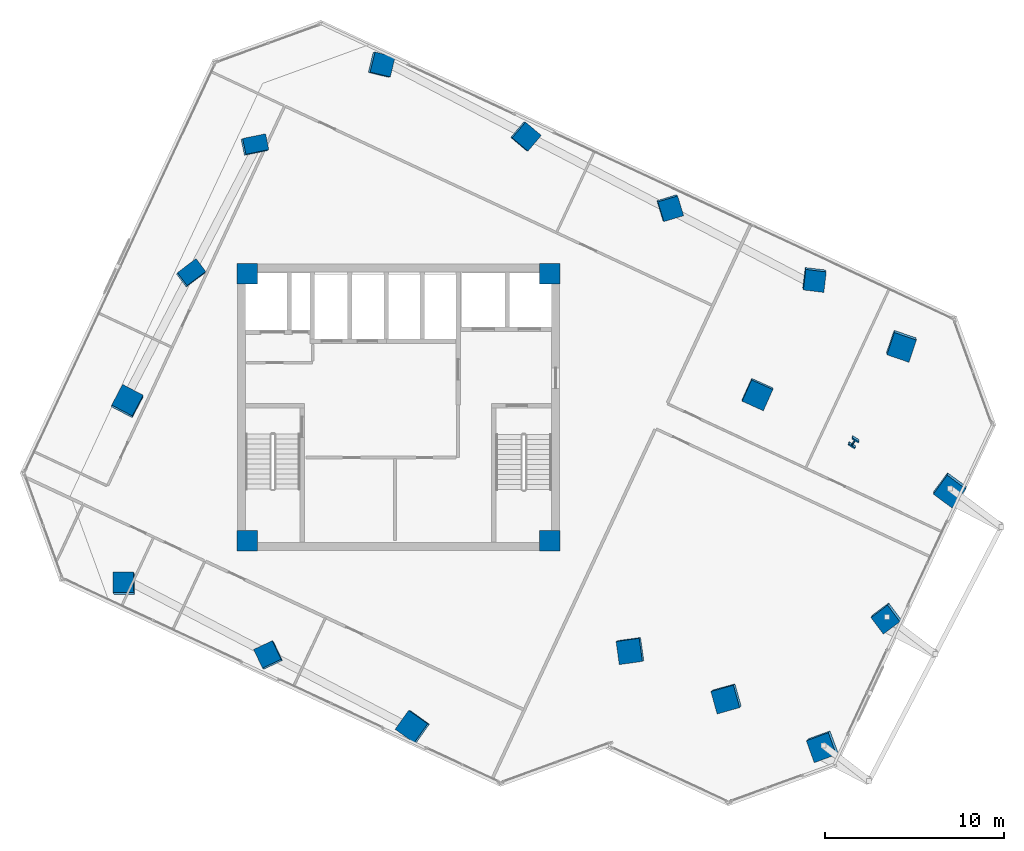
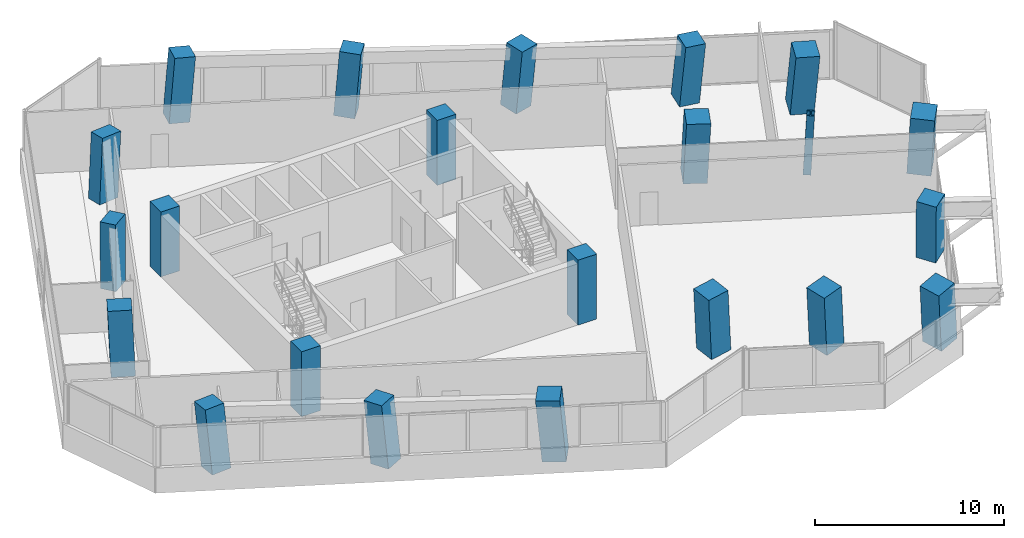
# One storey, part 1 of 21: 22 columns.
"""IFC4 building model written with IfcOpenShell, lengths in metres."""

from ifc_helpers import new_model, si_unit, direction, frame, origin, origin_2d, place, context, subcontext, project, spatial, rectangle, i_section, extrude, clip, halfspace, source, transform, mapped, material, material_profile, profile_set, type_object, element, save


model = new_model("IFC4")

# Units and contexts
model_context = context("Model", 3, precision=1e-05, world=origin(), true_north=direction((0.0, 1.0)))
body_context = subcontext(model_context, "Body", "Model", "MODEL_VIEW")
ifc_project = project(units=[si_unit("LENGTHUNIT", "METRE"), si_unit("AREAUNIT", "SQUARE_METRE"), si_unit("VOLUMEUNIT", "CUBIC_METRE"), si_unit("PLANEANGLEUNIT", "RADIAN"), si_unit("MASSUNIT", "GRAM", prefix="KILO")], contexts=[model_context])

# Site, building, storey
site_placement = place(None, origin())
site = spatial("IfcSite", under=ifc_project, at=site_placement, CompositionType="ELEMENT")
building_placement = place(site_placement, origin())
building = spatial("IfcBuilding", under=site, at=building_placement, Name="Torre Montelarca", CompositionType="ELEMENT")
storey_placement = place(building_placement, frame((0.0, 0.0, 162.39990234375)))
storey = spatial("IfcBuildingStorey", under=building, at=storey_placement, Name="L36", CompositionType="ELEMENT", Elevation=162.39990234375)

# Columns
ifc_material_1 = material(Name="Concrete C55/67", Category="concrete")
ifc_material_profile_1 = material_profile(ifc_material_1, rectangle(XDim=0.89990234375, YDim=1.300048828125, at=origin_2d()), Name="RC1300X900", Category="concrete")
ifc_profile_set_1 = profile_set([ifc_material_profile_1], Name="Concrete C55/67")
column_type_1 = type_object("IfcColumnType", Name="COL-PIL1300-EXT", PredefinedType="PILASTER", material=ifc_profile_set_1)
column_1_placement = place(storey_placement, frame((6.3876953125, 39.45263671875, 0.0), z_axis=(0.039433062508, 0.077765936782, 0.99619149397), x_axis=(0.600646384242, -0.79858419972, 0.038564193941)))
element("IfcColumn", 1, at=column_1_placement, inside=storey, type_object=column_type_1, Name="L36 Column 1W/E", PredefinedType="PILASTER", context=body_context, shape_type="Clipping", body=[
    clip(clip(extrude(rectangle(XDim=0.89990234375, YDim=1.300048828125, at=origin_2d()), origin(), (0.0, 0.0, 1.0), 4.21630859375), halfspace(frame((0.0, 0.0, 0.069091796875), z_axis=(0.0, 0.0, -1.0), x_axis=(1.0, 0.0, 0.0)), False)), halfspace(frame((0.0, 0.0, 4.147216796875), z_axis=(0.0, 0.0, 1.0), x_axis=(1.0, 0.0, 0.0)), False)),
])
column_2_placement = place(storey_placement, frame((9.926025390625, 46.62744140625, 0.0), z_axis=(0.076252876943, 0.059069944885, 0.995337249564), x_axis=(0.201228472882, -0.978614892024, 0.042661397204)))
element("IfcColumn", 2, at=column_2_placement, inside=storey, type_object=column_type_1, Name="L36 Column 1W/F", PredefinedType="PILASTER", context=body_context, shape_type="Clipping", body=[
    clip(clip(extrude(rectangle(XDim=0.89990234375, YDim=1.300048828125, at=origin_2d()), origin(), (0.0, 0.0, 1.0), 4.219970703125), halfspace(frame((0.0, 0.0, 0.076416015625), z_axis=(0.0, 0.0, -1.0), x_axis=(1.0, 0.0, 0.0)), False)), halfspace(frame((0.0, 0.0, 4.1435546875), z_axis=(0.0, 0.0, 1.0), x_axis=(1.0, 0.0, 0.0)), False)),
])
ifc_material_profile_2 = material_profile(ifc_material_1, rectangle(XDim=1.14990234375, YDim=1.14990234375, at=origin_2d()), Name="RC1150X1150", Category="concrete")
ifc_profile_set_2 = profile_set([ifc_material_profile_2], Name="Concrete C55/67")
column_type_2 = type_object("IfcColumnType", Name="COL-RC1150-EXT", PredefinedType="COLUMN", material=ifc_profile_set_2)
column_3_placement = place(storey_placement, frame((2.681640625, 22.102294921875, 0.0), z_axis=(-0.050032697629, 0.097754416153, 0.993952113178), x_axis=(0.998670124728, 0.017290764347, 0.048569655588)))
element("IfcColumn", 3, at=column_3_placement, inside=storey, type_object=column_type_2, Name="L36 Column 2/CS", PredefinedType="COLUMN", context=body_context, shape_type="Clipping", body=[
    clip(clip(extrude(rectangle(XDim=1.14990234375, YDim=1.14990234375, at=origin_2d()), origin(), (0.0, 0.0, 1.0), 4.225830078125), halfspace(frame((0.0, 0.0, 0.085693359375), z_axis=(0.0, 0.0, -1.0), x_axis=(1.0, 0.0, 0.0)), False)), halfspace(frame((0.0, 0.0, 4.14013671875), z_axis=(0.0, 0.0, 1.0), x_axis=(1.0, 0.0, 0.0)), False)),
])
column_4_placement = place(storey_placement, frame((16.98974609375, 51.1162109375, 0.0), z_axis=(0.099055374896, 0.022262883441, 0.994832848636), x_axis=(-0.232626468204, -0.971528980681, 0.044903964055)))
element("IfcColumn", 4, at=column_4_placement, inside=storey, type_object=column_type_2, Name="L36 Column 2/GN", PredefinedType="COLUMN", context=body_context, shape_type="Clipping", body=[
    clip(clip(extrude(rectangle(XDim=1.14990234375, YDim=1.14990234375, at=origin_2d()), origin(), (0.0, 0.0, 1.0), 4.221923828125), halfspace(frame((0.0, 0.0, 0.079345703125), z_axis=(0.0, 0.0, -1.0), x_axis=(1.0, 0.0, 0.0)), False)), halfspace(frame((0.0, 0.0, 4.142578125), z_axis=(0.0, 0.0, 1.0), x_axis=(1.0, 0.0, 0.0)), False)),
])
column_5_placement = place(storey_placement, frame((10.753662109375, 18.121826171875, 0.0), z_axis=(-0.071199539327, 0.056380773418, 0.995867377711), x_axis=(0.90208675184, 0.429681267702, 0.040168399792)))
element("IfcColumn", 5, at=column_5_placement, inside=storey, type_object=column_type_2, Name="L36 Column 3/CS", PredefinedType="COLUMN", context=body_context, shape_type="Clipping", body=[
    clip(clip(extrude(rectangle(XDim=1.14990234375, YDim=1.14990234375, at=origin_2d()), origin(), (0.0, 0.0, 1.0), 4.217529296875), halfspace(frame((0.0, 0.0, 0.071044921875), z_axis=(0.0, 0.0, -1.0), x_axis=(1.0, 0.0, 0.0)), False)), halfspace(frame((0.0, 0.0, 4.146484375), z_axis=(0.0, 0.0, 1.0), x_axis=(1.0, 0.0, 0.0)), False)),
])
column_6_placement = place(storey_placement, frame((25.0615234375, 47.135498046875, 0.0), z_axis=(0.078215080244, -0.019293053127, 0.996749807787), x_axis=(-0.642812730681, -0.765194262388, 0.0356305218)))
element("IfcColumn", 6, at=column_6_placement, inside=storey, type_object=column_type_2, Name="L36 Column 3/GN", PredefinedType="COLUMN", context=body_context, shape_type="Clipping", body=[
    clip(clip(extrude(rectangle(XDim=1.14990234375, YDim=1.14990234375, at=origin_2d()), origin(), (0.0, 0.0, 1.0), 4.2138671875), halfspace(frame((0.0, 0.0, 0.06298828125), z_axis=(0.0, 0.0, -1.0), x_axis=(1.0, 0.0, 0.0)), False)), halfspace(frame((0.0, 0.0, 4.15087890625), z_axis=(0.0, 0.0, 1.0), x_axis=(1.0, 0.0, 0.0)), False)),
])
column_7_placement = place(storey_placement, frame((33.133544921875, 43.155029296875, 0.0), z_axis=(0.057054699059, -0.060819729961, 0.996516794521), x_axis=(-0.955655307029, -0.292168689641, 0.036883477871)))
element("IfcColumn", 7, at=column_7_placement, inside=storey, type_object=column_type_2, Name="L36 Column 4/GN", PredefinedType="COLUMN", context=body_context, shape_type="Clipping", body=[
    clip(clip(extrude(rectangle(XDim=1.14990234375, YDim=1.14990234375, at=origin_2d()), origin(), (0.0, 0.0, 1.0), 4.21484375), halfspace(frame((0.0, 0.0, 0.065185546875), z_axis=(0.0, 0.0, -1.0), x_axis=(1.0, 0.0, 0.0)), False)), halfspace(frame((0.0, 0.0, 4.149658203125), z_axis=(0.0, 0.0, 1.0), x_axis=(1.0, 0.0, 0.0)), False)),
])
column_8_placement = place(storey_placement, frame((41.205322265625, 39.17431640625, 0.0), z_axis=(0.035941942904, -0.102105165773, 0.994124092789), x_axis=(-0.9919833284, 0.116948487131, 0.047876168741)))
element("IfcColumn", 8, at=column_8_placement, inside=storey, type_object=column_type_2, Name="L36 Column 5/GN", PredefinedType="COLUMN", context=body_context, shape_type="Clipping", body=[
    clip(clip(extrude(rectangle(XDim=1.14990234375, YDim=1.14990234375, at=origin_2d()), origin(), (0.0, 0.0, 1.0), 4.22509765625), halfspace(frame((0.0, 0.0, 0.084716796875), z_axis=(0.0, 0.0, -1.0), x_axis=(1.0, 0.0, 0.0)), False)), halfspace(frame((0.0, 0.0, 4.140380859375), z_axis=(0.0, 0.0, 1.0), x_axis=(1.0, 0.0, 0.0)), False)),
])
column_9_placement = place(storey_placement, frame((45.26708984375, 20.279296875, 0.0), z_axis=(-0.061614127929, -0.121615923537, 0.990663043815), x_axis=(-0.602034101789, 0.796190314393, 0.060298619803)))
element("IfcColumn", 9, at=column_9_placement, inside=storey, type_object=column_type_2, Name="L36 Column 7/E", PredefinedType="COLUMN", context=body_context, shape_type="Clipping", body=[
    clip(clip(extrude(rectangle(XDim=1.14990234375, YDim=1.14990234375, at=origin_2d()), origin(), (0.0, 0.0, 1.0), 4.23974609375), halfspace(frame((0.0, 0.0, 0.106689453125), z_axis=(0.0, 0.0, -1.0), x_axis=(1.0, 0.0, 0.0)), False)), halfspace(frame((0.0, 0.0, 4.133056640625), z_axis=(0.0, 0.0, 1.0), x_axis=(1.0, 0.0, 0.0)), False)),
])
ifc_material_2 = material(Name="Concrete C70/85", Category="concrete")
ifc_material_profile_3 = material_profile(ifc_material_2, rectangle(XDim=1.300048828125, YDim=1.300048828125, at=origin_2d()), Name="RC1300X1300", Category="concrete")
ifc_profile_set_3 = profile_set([ifc_material_profile_3], Name="Concrete C70/85")
column_type_3 = type_object("IfcColumnType", Name="COL-RC1300", PredefinedType="COLUMN", material=ifc_profile_set_3)
for number, where, z_axis, x_axis, name in (
    (10, (30.96630859375, 18.411865234375, 0.0), (-0.070826617057, -0.048240860187, 0.996321438957), (-0.140677633918, 0.989329700066, 0.037901818988), "L36 Column 5/D"),
    (11, (38.04296875, 32.76171875, 0.0), (0.003011431588, -0.085652063822, 0.996320558476), (-0.911802517527, 0.408875626491, 0.037906346343), "L36 Column 5/F"),
):
    element("IfcColumn", number, at=place(storey_placement, frame(where, z_axis=z_axis, x_axis=x_axis)), inside=storey, type_object=column_type_3, Name=name, PredefinedType="COLUMN", context=body_context, shape_type="Clipping", body=[
        clip(clip(extrude(rectangle(XDim=1.300048828125, YDim=1.300048828125, at=origin_2d()), origin(), (0.0, 0.0, 1.0), 4.2158203125), halfspace(frame((0.0, 0.0, 0.07568359375), z_axis=(0.0, 0.0, -1.0), x_axis=(1.0, 0.0, 0.0)), False)), halfspace(frame((0.0, 0.0, 4.14013671875), z_axis=(0.0, 0.0, 1.0), x_axis=(1.0, 0.0, 0.0)), False)),
    ])
column_10_placement = place(storey_placement, frame((36.34765625, 15.758056640625, 0.0), z_axis=(-0.084661353557, -0.075710119041, 0.993529281445), x_axis=(-0.270301885769, 0.961464240878, 0.050233495423)))
element("IfcColumn", 12, at=column_10_placement, inside=storey, type_object=column_type_3, Name="L36 Column 6/D", PredefinedType="COLUMN", context=body_context, shape_type="Clipping", body=[
    clip(clip(extrude(rectangle(XDim=1.300048828125, YDim=1.300048828125, at=origin_2d()), origin(), (0.0, 0.0, 1.0), 4.2275390625), halfspace(frame((0.0, 0.0, 0.100341796875), z_axis=(0.0, 0.0, -1.0), x_axis=(1.0, 0.0, 0.0)), False)), halfspace(frame((0.0, 0.0, 4.127197265625), z_axis=(0.0, 0.0, 1.0), x_axis=(1.0, 0.0, 0.0)), False)),
])
column_11_placement = place(storey_placement, frame((46.077880859375, 35.4892578125, 0.0), z_axis=(0.016602908113, -0.126770121322, 0.991793163811), x_axis=(-0.946242453733, 0.318476943078, 0.056547815886)))
element("IfcColumn", 13, at=column_11_placement, inside=storey, type_object=column_type_3, Name="L36 Column 6/G", PredefinedType="COLUMN", context=body_context, shape_type="Clipping", body=[
    clip(clip(extrude(rectangle(XDim=1.300048828125, YDim=1.300048828125, at=origin_2d()), origin(), (0.0, 0.0, 1.0), 4.23486328125), halfspace(frame((0.0, 0.0, 0.113037109375), z_axis=(0.0, 0.0, -1.0), x_axis=(1.0, 0.0, 0.0)), False)), halfspace(frame((0.0, 0.0, 4.121826171875), z_axis=(0.0, 0.0, 1.0), x_axis=(1.0, 0.0, 0.0)), False)),
])
ifc_material_profile_4 = material_profile(ifc_material_2, rectangle(XDim=1.300048828125, YDim=1.300048828125, at=origin_2d()), Name="RC1300X1300", Category="concrete")
ifc_profile_set_4 = profile_set([ifc_material_profile_4], Name="Concrete C70/85")
column_type_4 = type_object("IfcColumnType", Name="COL-RC1300-EXT", PredefinedType="COLUMN", material=ifc_profile_set_4)
column_12_placement = place(storey_placement, frame((18.825439453125, 14.14111328125, 0.0), z_axis=(-0.092190137628, 0.014873110716, 0.995630337576), x_axis=(0.577581004386, 0.815287886599, 0.041301880559)))
element("IfcColumn", 14, at=column_12_placement, inside=storey, type_object=column_type_4, Name="L36 Column 4/CS", PredefinedType="COLUMN", context=body_context, shape_type="Clipping", body=[
    clip(clip(extrude(rectangle(XDim=1.300048828125, YDim=1.300048828125, at=origin_2d()), origin(), (0.0, 0.0, 1.0), 4.21875), halfspace(frame((0.0, 0.0, 0.082275390625), z_axis=(0.0, 0.0, -1.0), x_axis=(1.0, 0.0, 0.0)), False)), halfspace(frame((0.0, 0.0, 4.136474609375), z_axis=(0.0, 0.0, 1.0), x_axis=(1.0, 0.0, 0.0)), False)),
])
for number, where, z_axis, x_axis, name in (
    (15, (41.728759765625, 13.1044921875, 0.0), (-0.098268253361, -0.102986050068, 0.989816762776), (-0.346652238774, 0.935878429907, 0.062958635533), "L36 Column 7/D"),
    (16, (48.805419921875, 27.454345703125, 0.0), (-0.024912258865, -0.140153031398, 0.989816400727), (-0.806415976218, 0.587987536694, 0.062959748993), "L36 Column 7/F"),
):
    element("IfcColumn", number, at=place(storey_placement, frame(where, z_axis=z_axis, x_axis=x_axis)), inside=storey, type_object=column_type_4, Name=name, PredefinedType="COLUMN", context=body_context, shape_type="Clipping", body=[
        clip(clip(extrude(rectangle(XDim=1.300048828125, YDim=1.300048828125, at=origin_2d()), origin(), (0.0, 0.0, 1.0), 4.243408203125), halfspace(frame((0.0, 0.0, 0.1259765625), z_axis=(0.0, 0.0, -1.0), x_axis=(1.0, 0.0, 0.0)), False)), halfspace(frame((0.0, 0.0, 4.117431640625), z_axis=(0.0, 0.0, 1.0), x_axis=(1.0, 0.0, 0.0)), False)),
    ])
column_13_placement = place(storey_placement, frame((2.849365234375, 32.277587890625, 0.0), z_axis=(0.002487773567, 0.096386761932, 0.995340847703), x_axis=(0.885215509994, -0.463222308644, 0.042644972057)))
element("IfcColumn", 17, at=column_13_placement, inside=storey, type_object=column_type_4, Name="L36 Column 1W/D", PredefinedType="COLUMN", context=body_context, shape_type="Clipping", body=[
    clip(clip(extrude(rectangle(XDim=1.300048828125, YDim=1.300048828125, at=origin_2d()), origin(), (0.0, 0.0, 1.0), 4.219970703125), halfspace(frame((0.0, 0.0, 0.0849609375), z_axis=(0.0, 0.0, -1.0), x_axis=(1.0, 0.0, 0.0)), False)), halfspace(frame((0.0, 0.0, 4.135009765625), z_axis=(0.0, 0.0, 1.0), x_axis=(1.0, 0.0, 0.0)), False)),
])
ifc_material_3 = material(Name="Steel ASTM A992 Grade 50", Category="steel")
ifc_material_profile_5 = material_profile(ifc_material_3, i_section(OverallWidth=0.4208984375, OverallDepth=0.465087890625, WebThickness=0.044921875, FlangeThickness=0.072265625, FilletRadius=0.014892578125, at=origin_2d()), Name="W360X592", Category="steel")
ifc_profile_set_5 = profile_set([ifc_material_profile_5], Name="Steel ASTM A992 Grade 50")
column_type_5 = type_object("IfcColumnType", Name="COL-W360X592", PredefinedType="COLUMN", material=ifc_profile_set_5)
column_14_placement = place(storey_placement, frame((43.42431640625, 30.108154296875, 0.0), z_axis=(-0.011030187366, -0.113073857916, 0.993525358319), x_axis=(-0.849973005928, 0.52442440846, 0.050248671683)))
element("IfcColumn", 18, at=column_14_placement, inside=storey, type_object=column_type_5, Name="L36 Column 6/F", PredefinedType="COLUMN", context=body_context, shape_type="Clipping", body=[
    clip(clip(extrude(i_section(OverallWidth=0.4208984375, OverallDepth=0.465087890625, WebThickness=0.044921875, FlangeThickness=0.072265625, FilletRadius=0.014892578125, at=origin_2d()), origin(), (0.0, 0.0, 1.0), 4.2275390625), halfspace(frame((0.0, 0.0, 0.03515625), z_axis=(0.0, 0.0, -1.0), x_axis=(1.0, 0.0, 0.0)), False)), halfspace(frame((0.0, 0.0, 4.1923828125), z_axis=(0.0, 0.0, 1.0), x_axis=(1.0, 0.0, 0.0)), False)),
])
ifc_material_profile_6 = material_profile(ifc_material_1, rectangle(XDim=1.14990234375, YDim=1.14990234375, at=origin_2d()), Name="RC1150X1150", Category="concrete")
ifc_profile_set_6 = profile_set([ifc_material_profile_6], Name="Concrete C55/67")
column_type_6 = type_object("IfcColumnType", Name="COL-RC1150", PredefinedType="COLUMN", material=ifc_profile_set_6)
shared_shape = source(origin(), body_context, "Body", "SweptSolid", [
    extrude(rectangle(XDim=1.14990234375, YDim=1.14990234375, at=origin_2d()), origin(), (0.0, 0.0, 1.0), 4.19873046875),
])
for number, where, z_axis, x_axis, name in (
    (19, (9.550048828125, 24.550048828125, 0.000732421875), (0.0, 0.0, 1.0), (1.0, 0.0, 0.0), "L36 Plumb Core Corner Column 2D"),
    (20, (26.449951171875, 24.550048828125, 0.000732421875), (0.0, 0.0, 1.0), (1.0, 0.0, 0.0), "L36 Plumb Core Corner Column 4D"),
    (21, (9.550048828125, 39.449951171875, 0.000732421875), (0.0, 0.0, 1.0), (1.0, 0.0, 0.0), "L36 Plumb Core Corner Column 2F"),
    (22, (26.449951171875, 39.449951171875, 0.000732421875), (0.0, 0.0, 1.0), (1.0, 0.0, 0.0), "L36 Plumb Core Corner Column 4F"),
):
    element("IfcColumn", number, at=place(storey_placement, frame(where, z_axis=z_axis, x_axis=x_axis)), inside=storey, type_object=column_type_6, Name=name, PredefinedType="COLUMN", context=body_context, shape_type="MappedRepresentation", body=[
        mapped(shared_shape, transform((0.0, 0.0, 0.0), scale=1.0)),
    ])

save(model, "model.ifc")
